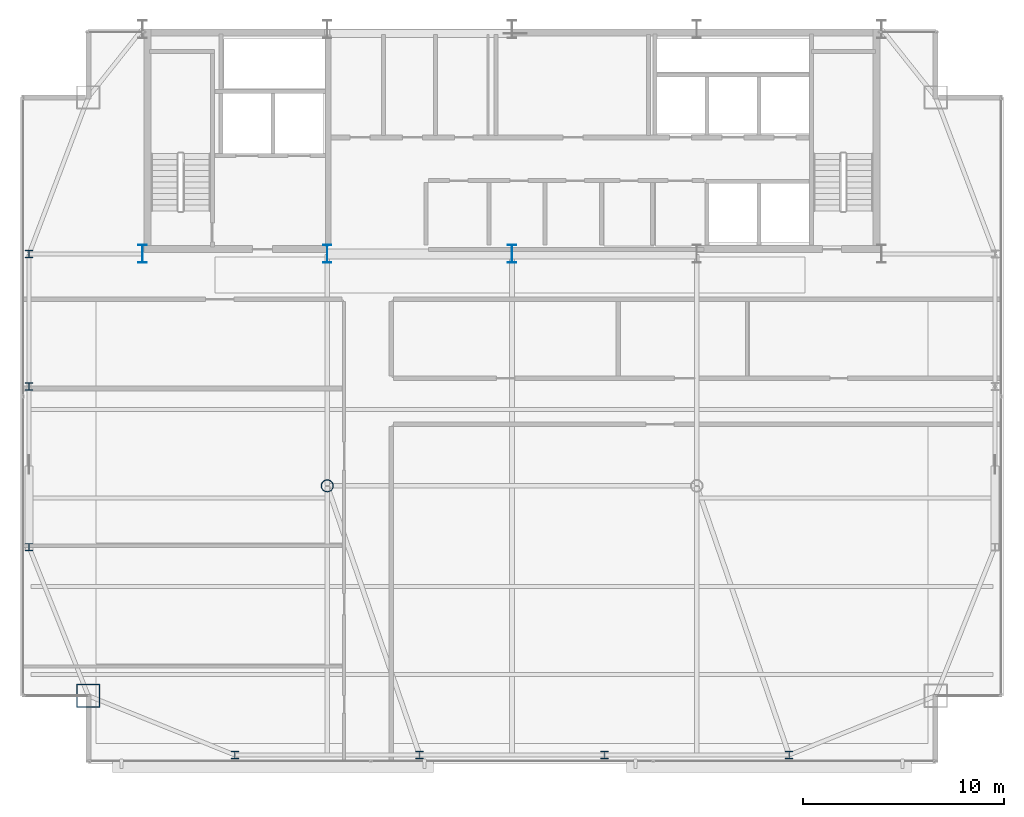
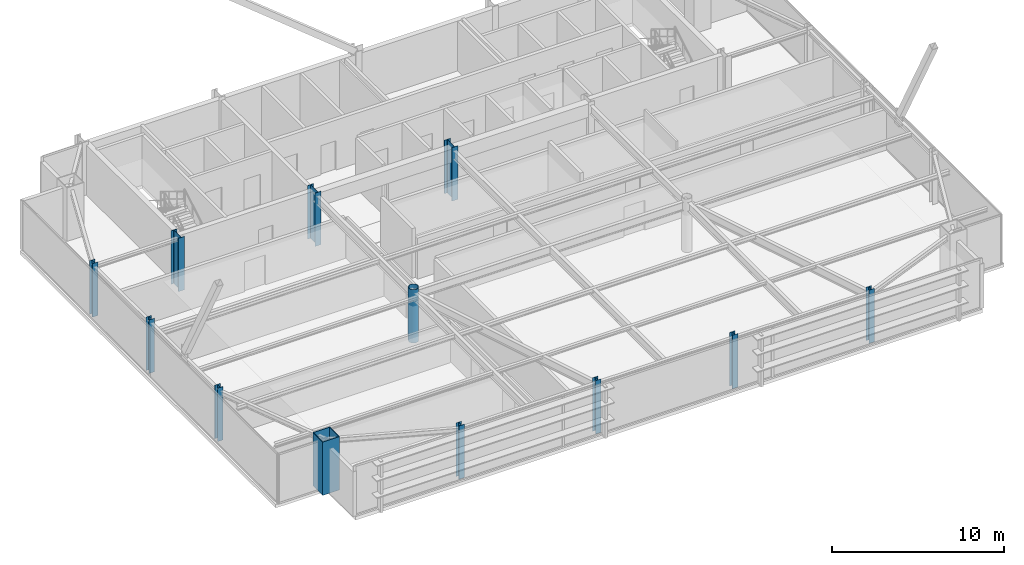
# One storey, part 1 of 26: 12 columns.
"""IFC4 building model written with IfcOpenShell, lengths in metres."""

from ifc_helpers import new_model, si_unit, direction, frame, origin, origin_2d, place, context, subcontext, project, spatial, hollow_rectangle, hollow_circle, i_section, extrude, source, transform, mapped, material, material_profile, profile_set, type_object, type_shapes, element, save


model = new_model("IFC4")

# Units and contexts
model_context = context("Model", 3, precision=1e-05, world=origin(), true_north=direction((0.0, 1.0)))
body_context = subcontext(model_context, "Body", "Model", "MODEL_VIEW")
ifc_project = project(units=[si_unit("LENGTHUNIT", "METRE"), si_unit("AREAUNIT", "SQUARE_METRE"), si_unit("VOLUMEUNIT", "CUBIC_METRE"), si_unit("PLANEANGLEUNIT", "RADIAN"), si_unit("MASSUNIT", "GRAM", prefix="KILO")], contexts=[model_context])

# Site, building, storey
site_placement = place(None, origin())
site = spatial("IfcSite", under=ifc_project, at=site_placement, CompositionType="ELEMENT")
building_placement = place(site_placement, origin())
building = spatial("IfcBuilding", under=site, at=building_placement, Name="Varnel Quay Broadcast Tower", CompositionType="ELEMENT")
storey_placement = place(building_placement, frame((0.0, 0.0, 218.800048828125)))
storey = spatial("IfcBuildingStorey", under=building, at=storey_placement, Name="L54", CompositionType="ELEMENT", Elevation=218.800048828125)

# Columns
ifc_material_1 = material(Name="Structural Steel CSA G40.21 350WT", Category="steel")
ifc_material_profile_1 = material_profile(ifc_material_1, i_section(OverallWidth=0.39990234375, OverallDepth=0.89990234375, WebThickness=0.01611328125, FlangeThickness=0.028076171875, FilletRadius=0.01611328125, at=origin_2d()), Name="WWF900X309")
ifc_profile_set_1 = profile_set([ifc_material_profile_1], Name="Structural Steel CSA G40.21 350WT")
column_type_1 = type_object("IfcColumnType", Name="Col_WWF900X309", PredefinedType="COLUMN", material=ifc_profile_set_1)
shared_shape_1 = source(origin(), body_context, "Body", "SweptSolid", [
    extrude(i_section(OverallWidth=0.39990234375, OverallDepth=0.89990234375, WebThickness=0.01611328125, FlangeThickness=0.028076171875, FilletRadius=0.01611328125, at=origin_2d()), origin(), (0.0, 0.0, 1.0), 3.800048828125),
])
type_shapes(column_type_1, [shared_shape_1])
for number, where, z_axis, x_axis, name in (
    (1, (15.60009765625, 35.60009765625, 0.0), (0.0, 0.0, 1.0), (1.0, 0.0, 0.0), "L54 Column CC-S1"),
    (2, (24.800048828125, 35.60009765625, 0.0), (0.0, 0.0, 1.0), (1.0, 0.0, 0.0), "L54 Column CC-S2"),
    (3, (34.0, 35.60009765625, 0.0), (0.0, 0.0, 1.0), (1.0, 0.0, 0.0), "L54 Column CC-S3"),
):
    element("IfcColumn", number, at=place(storey_placement, frame(where, z_axis=z_axis, x_axis=x_axis)), inside=storey, type_object=column_type_1, Name=name, PredefinedType="COLUMN", context=body_context, shape_type="MappedRepresentation", body=[
        mapped(shared_shape_1, transform((0.0, 0.0, 0.0), x_axis=(1.0, 0.0, 0.0), y_axis=(0.0, 1.0, 0.0), z_axis=(0.0, 0.0, 1.0), scale=1.0)),
    ])
ifc_material_profile_2 = material_profile(ifc_material_1, hollow_rectangle(XDim=1.14990234375, YDim=1.14990234375, WallThickness=0.044921875, at=origin_2d()), Name="BOX1150X1150X45")
ifc_profile_set_2 = profile_set([ifc_material_profile_2], Name="Structural Steel CSA G40.21 350WT")
column_type_2 = type_object("IfcColumnType", Name="Col_BOX1150X1150X45", PredefinedType="COLUMN", material=ifc_profile_set_2)
shared_shape_2 = source(origin(), body_context, "Body", "SweptSolid", [
    extrude(hollow_rectangle(XDim=1.14990234375, YDim=1.14990234375, WallThickness=0.044921875, at=origin_2d()), origin(), (0.0, 0.0, 1.0), 3.800048828125),
])
type_shapes(column_type_2, [shared_shape_2])
column_1_placement = place(storey_placement, frame((12.89990234375, 13.60009765625, 0.0), z_axis=(0.0, 0.0, 1.0), x_axis=(1.0, 0.0, 0.0)))
element("IfcColumn", 4, at=column_1_placement, inside=storey, type_object=column_type_2, Name="L54 Column MC-SW", PredefinedType="COLUMN", context=body_context, shape_type="MappedRepresentation", body=[
    mapped(shared_shape_2, transform((0.0, 0.0, 0.0), x_axis=(1.0, 0.0, 0.0), y_axis=(0.0, 1.0, 0.0), z_axis=(0.0, 0.0, 1.0), scale=1.0)),
])
ifc_material_2 = material(Name="Structural Steel CSA G40.21 350W", Category="steel")
ifc_material_profile_3 = material_profile(ifc_material_2, i_section(OverallWidth=0.368896484375, OverallDepth=0.35595703125, WebThickness=0.01123046875, FlangeThickness=0.01806640625, FilletRadius=0.01611328125, at=origin_2d()), Name="W360X134")
ifc_profile_set_3 = profile_set([ifc_material_profile_3], Name="Structural Steel CSA G40.21 350W")
column_type_3 = type_object("IfcColumnType", Name="Col_W360X134", PredefinedType="COLUMN", material=ifc_profile_set_3)
shared_shape_3 = source(origin(), body_context, "Body", "SweptSolid", [
    extrude(i_section(OverallWidth=0.368896484375, OverallDepth=0.35595703125, WebThickness=0.01123046875, FlangeThickness=0.01806640625, FilletRadius=0.01611328125, at=origin_2d()), origin(), (0.0, 0.0, 1.0), 3.800048828125),
])
type_shapes(column_type_3, [shared_shape_3])
for number, where, z_axis, x_axis, name in (
    (5, (20.199951171875, 10.64990234375, 0.0), (0.0, 0.0, 1.0), (1.0, 0.0, 0.0), "L54 Column TC-S1"),
    (6, (29.39990234375, 10.64990234375, 0.0), (0.0, 0.0, 1.0), (1.0, 0.0, 0.0), "L54 Column TC-S2"),
    (7, (38.60009765625, 10.64990234375, 0.0), (0.0, 0.0, 1.0), (1.0, 0.0, 0.0), "L54 Column TC-S3"),
    (8, (47.800048828125, 10.64990234375, 0.0), (0.0, 0.0, 1.0), (1.0, 0.0, 0.0), "L54 Column TC-S4"),
    (9, (9.949951171875, 21.0, 0.0), (0.0, 0.0, 1.0), (1.0, 0.0, 0.0), "L54 Column TC-W1"),
    (10, (9.949951171875, 29.0, 0.0), (0.0, 0.0, 1.0), (1.0, 0.0, 0.0), "L54 Column TC-W2"),
    (11, (9.949951171875, 35.60009765625, 0.0), (0.0, 0.0, 1.0), (1.0, 0.0, 0.0), "L54 Column TC-W3"),
):
    element("IfcColumn", number, at=place(storey_placement, frame(where, z_axis=z_axis, x_axis=x_axis)), inside=storey, type_object=column_type_3, Name=name, PredefinedType="COLUMN", context=body_context, shape_type="MappedRepresentation", body=[
        mapped(shared_shape_3, transform((0.0, 0.0, 0.0), x_axis=(1.0, 0.0, 0.0), y_axis=(0.0, 1.0, 0.0), z_axis=(0.0, 0.0, 1.0), scale=1.0)),
    ])
ifc_material_profile_4 = material_profile(ifc_material_2, hollow_circle(Radius=0.304931640625, WallThickness=0.02490234375, at=origin_2d()), Name="CHS610X25")
ifc_profile_set_4 = profile_set([ifc_material_profile_4], Name="Structural Steel CSA G40.21 350W")
column_type_4 = type_object("IfcColumnType", Name="Col_CHS610X25", PredefinedType="COLUMN", material=ifc_profile_set_4)
shared_shape_4 = source(origin(), body_context, "Body", "SweptSolid", [
    extrude(hollow_circle(Radius=0.304931640625, WallThickness=0.02490234375, at=origin_2d()), origin(), (0.0, 0.0, 1.0), 3.800048828125),
])
type_shapes(column_type_4, [shared_shape_4])
column_2_placement = place(storey_placement, frame((24.800048828125, 24.050048828125, 0.0), z_axis=(0.0, 0.0, 1.0), x_axis=(1.0, 0.0, 0.0)))
element("IfcColumn", 12, at=column_2_placement, inside=storey, type_object=column_type_4, Name="L54 Column IC-01", PredefinedType="COLUMN", context=body_context, shape_type="MappedRepresentation", body=[
    mapped(shared_shape_4, transform((0.0, 0.0, 0.0), x_axis=(1.0, 0.0, 0.0), y_axis=(0.0, 1.0, 0.0), z_axis=(0.0, 0.0, 1.0), scale=1.0)),
])

save(model, "model.ifc")
